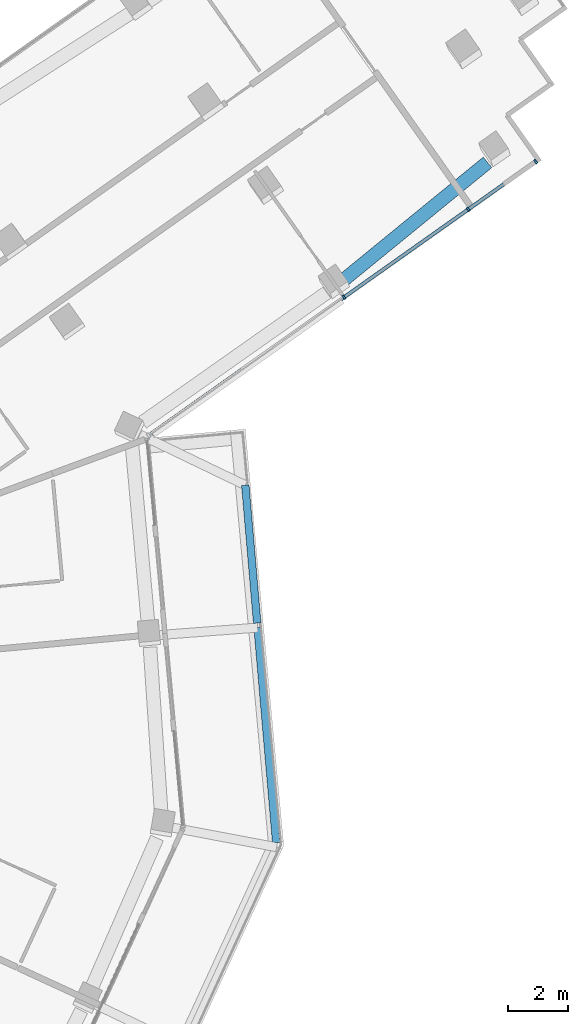
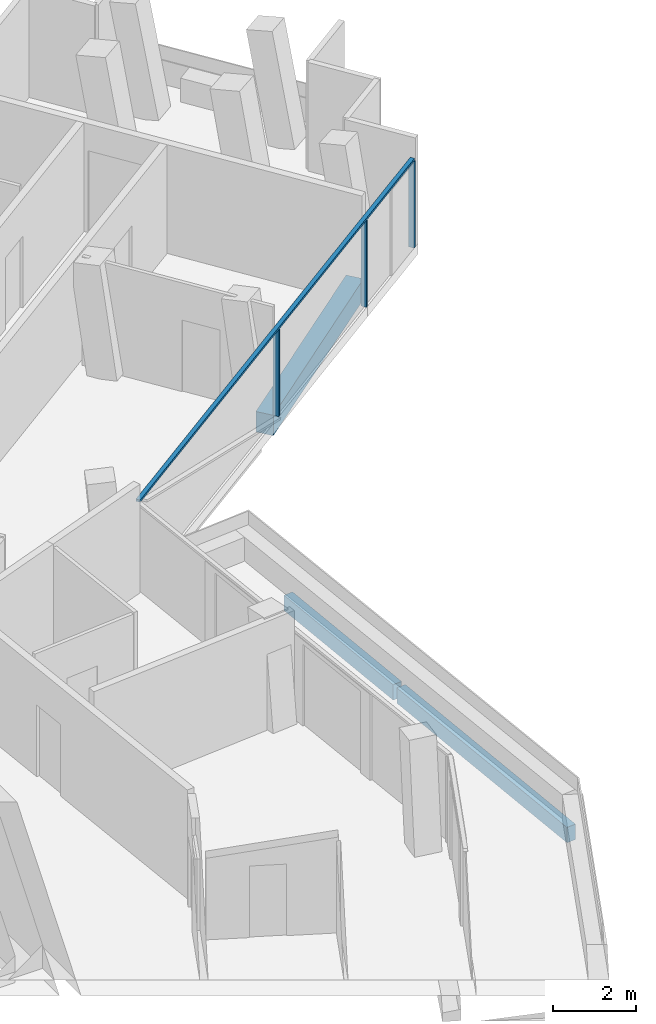
# One storey, part 9 of 25: 4 members, 3 beams, 1 element without a shape of its own.
"""IFC4 building model written with IfcOpenShell, lengths in metres."""

import ifcopenshell
import ifcopenshell.guid

model = None  # the IFC model being written
_history = None  # IfcOwnerHistory: only IFC2X3 demands one
_inside = {}  # id of a spatial element -> (the spatial element, [elements in it])
_under = {}  # id of a project, library or spatial element -> (it, [spatial elements below it])
_declared = {}  # id of a project -> (the project, [libraries it declares])
_typed = {}  # id of a type object -> (the type object, [elements of that type])
_made_of = {}  # id of a material, layer set ... -> (it, [elements and type objects made of it])


def new_model(schema):
    """Start an empty IFC model of exactly this schema.

    Asked for "IFC4X3", IfcOpenShell would pick the latest addendum, in which some entities
    have other attributes; the version numbers below select the first issue.
    IFC2X3 requires an IfcOwnerHistory on every rooted entity: one is made here for all.
    """
    global model, _history
    if schema == "IFC4X3":
        model = ifcopenshell.file(schema_version=(4, 3, 0, 0))
    else:
        model = ifcopenshell.file(schema=schema)
    _inside.clear()
    _under.clear()
    _declared.clear()
    _typed.clear()
    _made_of.clear()
    _history = None
    if model.schema == "IFC2X3":
        org = make("IfcOrganization", Name="unknown")
        user = make(
            "IfcPersonAndOrganization",
            ThePerson=make("IfcPerson", FamilyName="unknown"),
            TheOrganization=org,
        )
        app = make(
            "IfcApplication",
            ApplicationDeveloper=org,
            Version="unknown",
            ApplicationFullName="unknown",
            ApplicationIdentifier="unknown",
        )
        _history = make(
            "IfcOwnerHistory",
            OwningUser=user,
            OwningApplication=app,
            ChangeAction="ADDED",
            CreationDate=0,
        )
    return model


def make(cls, **values):
    """One entity of the class cls with the attributes given. An attribute that is None is left unset."""
    return model.create_entity(
        cls, **{name: value for name, value in values.items() if value is not None}
    )


def rooted(cls, **values):
    """An entity with a GlobalId (a new one), such as an element, a storey or a relation."""
    return make(cls, GlobalId=ifcopenshell.guid.new(), OwnerHistory=_history, **values)


def si_unit(unit_type, name, prefix=None):
    """IfcSIUnit, for example si_unit("LENGTHUNIT", "METRE", prefix="MILLI")."""
    return make("IfcSIUnit", UnitType=unit_type, Prefix=prefix, Name=name)


def assignment(units):
    """IfcUnitAssignment: the units of a project."""
    return None if units is None else make("IfcUnitAssignment", Units=units)


def point(xyz):
    """IfcCartesianPoint."""
    return None if xyz is None else make("IfcCartesianPoint", Coordinates=xyz)


def direction(xyz):
    """IfcDirection."""
    return None if xyz is None else make("IfcDirection", DirectionRatios=xyz)


def frame(location, z_axis=None, x_axis=None):
    """IfcAxis2Placement3D, a coordinate frame: its origin and axes. An axis left out is left unset."""
    return make(
        "IfcAxis2Placement3D",
        Location=point(location),
        Axis=direction(z_axis),
        RefDirection=direction(x_axis),
    )


def frame_2d(location, x_axis=None):
    """IfcAxis2Placement2D, a coordinate frame in the plane: its origin and x axis."""
    return make(
        "IfcAxis2Placement2D", Location=point(location), RefDirection=direction(x_axis)
    )


def origin():
    """The frame at (0, 0, 0) with its axes left unset."""
    return frame((0.0, 0.0, 0.0))


def origin_2d():
    """The frame at (0, 0) in the plane with its x axis left unset."""
    return frame_2d((0.0, 0.0))


def place(relative_to, where):
    """IfcLocalPlacement: puts the frame where relative to a parent placement (None: the world)."""
    return make(
        "IfcLocalPlacement", PlacementRelTo=relative_to, RelativePlacement=where
    )


def context(
    kind, dimensions, precision=None, world=None, true_north=None, identifier=None
):
    """IfcGeometricRepresentationContext, for example the 3D "Model" context."""
    return make(
        "IfcGeometricRepresentationContext",
        ContextIdentifier=identifier,
        ContextType=kind,
        CoordinateSpaceDimension=dimensions,
        Precision=precision,
        WorldCoordinateSystem=world,
        TrueNorth=true_north,
    )


def subcontext(parent, identifier, kind, view, scale=None):
    """IfcGeometricRepresentationSubContext, for example "Body" below "Model"."""
    return make(
        "IfcGeometricRepresentationSubContext",
        ContextIdentifier=identifier,
        ContextType=kind,
        ParentContext=parent,
        TargetScale=scale,
        TargetView=view,
    )


def project(units=None, contexts=None):
    """IfcProject with its units and contexts."""
    return rooted(
        "IfcProject",
        Name="project",
        RepresentationContexts=contexts,
        UnitsInContext=assignment(units),
    )


def spatial(cls, under=None, at=None, **own):
    """A site, building, storey or space (cls), placed at a placement, below another one or the project."""
    s = rooted(cls, ObjectPlacement=at, **own)
    if under is not None:
        _under.setdefault(under.id(), (under, []))[1].append(s)
    return s


def profile(cls, at=None, kind="AREA", **sizes):
    """A parametric profile (cls). Its sizes go by their IFC names, for example OverallWidth=200.0."""
    return make(cls, ProfileType=kind, Position=at, **sizes)


def rectangle(**sizes):
    """IfcRectangleProfileDef."""
    return profile("IfcRectangleProfileDef", **sizes)


def extrude(swept, where, along, depth):
    """IfcExtrudedAreaSolid: the profile swept, set in the frame where, extruded along a direction by depth."""
    return make(
        "IfcExtrudedAreaSolid",
        SweptArea=swept,
        Position=where,
        ExtrudedDirection=direction(along),
        Depth=depth,
    )


def shape(context_of_items, identifier, shape_type, items):
    """IfcShapeRepresentation: the items that make up one representation, for example the "Body"."""
    return make(
        "IfcShapeRepresentation",
        ContextOfItems=context_of_items,
        RepresentationIdentifier=identifier,
        RepresentationType=shape_type,
        Items=items,
    )


def material(Name=None, Category=None):
    """IfcMaterial."""
    return make("IfcMaterial", Name=Name, Category=Category)


def layer(
    of_material, thickness, ventilated=None, Name=None, Category=None, Priority=None
):
    """IfcMaterialLayer: one layer of a wall or slab, of a material (None: an air gap)."""
    return make(
        "IfcMaterialLayer",
        Material=of_material,
        LayerThickness=thickness,
        IsVentilated=ventilated,
        Name=Name,
        Category=Category,
        Priority=Priority,
    )


def layer_set(layers, Name=None):
    """IfcMaterialLayerSet."""
    return make("IfcMaterialLayerSet", MaterialLayers=layers, LayerSetName=Name)


def material_profile(
    of_material, cross_section, Name=None, Category=None, Priority=None
):
    """IfcMaterialProfile: a cross section and its material."""
    return make(
        "IfcMaterialProfile",
        Name=Name,
        Material=of_material,
        Profile=cross_section,
        Priority=Priority,
        Category=Category,
    )


def profile_set(profiles, Name=None, composite=None):
    """IfcMaterialProfileSet."""
    return make(
        "IfcMaterialProfileSet",
        Name=Name,
        MaterialProfiles=profiles,
        CompositeProfile=composite,
    )


def made_of(thing, what):
    """Note that an element or type object is made of a material, layer set ...; save() writes the relation."""
    if what is not None:
        _made_of.setdefault(what.id(), (what, []))[1].append(thing)
    return thing


def type_object(cls, material=None, **own):
    """A type object (cls), such as IfcWallType, which elements share."""
    return made_of(rooted(cls, **own), material)


def element(
    cls,
    number,
    at=None,
    inside=None,
    cuts=None,
    type_object=None,
    material=None,
    context=None,
    identifier="Body",
    shape_type=None,
    held_by="IfcProductDefinitionShape",
    body=None,
    shapes=None,
    **own,
):
    """One element of the class cls, such as IfcWall. Its Tag is "e" and its number.

    at: its placement. inside: the storey or other place that contains it. cuts: it is an
    opening in that element (IfcRelVoidsElement). A single representation is given by context,
    identifier, shape_type and body (its items); several are given by shapes. held_by: the class
    of the entity that holds the representations. save() writes the other relations.
    """
    e = rooted(cls, Tag="e%d" % number, ObjectPlacement=at, **own)
    if body is not None:
        shapes = [shape(context, identifier, shape_type, body)]
    if shapes is not None:
        e.Representation = make(held_by, Representations=shapes)
    if inside is not None:
        _inside.setdefault(inside.id(), (inside, []))[1].append(e)
    if cuts is not None:
        rooted(
            "IfcRelVoidsElement", RelatingBuildingElement=cuts, RelatedOpeningElement=e
        )
    if type_object is not None:
        _typed.setdefault(type_object.id(), (type_object, []))[1].append(e)
    return made_of(e, material)


def aggregate(whole, parts):
    """IfcRelAggregates: a whole, such as a stair, and the parts it consists of."""
    return rooted("IfcRelAggregates", RelatingObject=whole, RelatedObjects=parts)


def save(model, path):
    """Write the relations noted so far, then the file.

    IfcRelAggregates (storeys below a building ...), IfcRelContainedInSpatialStructure (elements
    in a storey), IfcRelDefinesByType, IfcRelAssociatesMaterial and IfcRelDeclares: one each for
    every whole, place, type object, material and project.
    """
    for whole, parts in _under.values():
        aggregate(whole, parts)
    for where, things in _inside.values():
        rooted(
            "IfcRelContainedInSpatialStructure",
            RelatedElements=things,
            RelatingStructure=where,
        )
    for kind, things in _typed.values():
        rooted("IfcRelDefinesByType", RelatedObjects=things, RelatingType=kind)
    for what, things in _made_of.values():
        rooted("IfcRelAssociatesMaterial", RelatedObjects=things, RelatingMaterial=what)
    for by, libraries in _declared.values():
        rooted("IfcRelDeclares", RelatingContext=by, RelatedDefinitions=libraries)
    model.write(path)


model = new_model("IFC4")

# Units and contexts
model_context = context("Model", 3, precision=1e-05, world=origin(), true_north=direction((0.0, 1.0)))
body_context = subcontext(model_context, "Body", "Model", "MODEL_VIEW")
ifc_project = project(units=[si_unit("LENGTHUNIT", "METRE"), si_unit("AREAUNIT", "SQUARE_METRE"), si_unit("VOLUMEUNIT", "CUBIC_METRE"), si_unit("PLANEANGLEUNIT", "RADIAN"), si_unit("MASSUNIT", "GRAM", prefix="KILO")], contexts=[model_context])

# Site, building, storey
site_placement = place(None, origin())
site = spatial("IfcSite", under=ifc_project, at=site_placement, CompositionType="ELEMENT")
building_placement = place(site_placement, origin())
building = spatial("IfcBuilding", under=site, at=building_placement, Name="Verdalira Terraces Hotel", CompositionType="ELEMENT")
storey_placement = place(building_placement, frame((0.0, 0.0, 299.5)))
storey = spatial("IfcBuildingStorey", under=building, at=storey_placement, Name="L74", CompositionType="ELEMENT", Elevation=299.5)

# Beams
ifc_material_1 = material(Name="Concrete C40", Category="concrete")
ifc_material_profile_1 = material_profile(ifc_material_1, rectangle(XDim=0.25, YDim=0.449951, at=origin_2d()), Name="RC 250X450")
ifc_profile_set_1 = profile_set([ifc_material_profile_1], Name="Concrete C40")
beam_type_1 = type_object("IfcBeamType", Name="Balcony edge beam RC 250X450 C40", PredefinedType="BEAM", material=ifc_profile_set_1)
beam_1_placement = place(storey_placement, frame((27.767334, -4.69751, -0.534912), z_axis=(-0.086274276, 0.996271423, 0.0), x_axis=(-0.996271423, -0.086274276, 0.0)))
element("IfcBeam", 1, at=beam_1_placement, inside=storey, type_object=beam_type_1, Name="Balcony edge beam R26-3", PredefinedType="BEAM", context=body_context, shape_type="SweptSolid", body=[
    extrude(rectangle(XDim=0.25, YDim=0.449951, at=origin_2d()), origin(), (0.0, 0.0, 1.0), 7.145264),
])
beam_2_placement = place(storey_placement, frame((27.137939, 2.570557, -0.534912), z_axis=(-0.086055121, 0.996290377, 0.0), x_axis=(-0.996290377, -0.086055121, 0.0)))
element("IfcBeam", 2, at=beam_2_placement, inside=storey, type_object=beam_type_1, Name="Balcony edge beam R26-4", PredefinedType="BEAM", context=body_context, shape_type="SweptSolid", body=[
    extrude(rectangle(XDim=0.25, YDim=0.449951, at=origin_2d()), origin(), (0.0, 0.0, 1.0), 4.584717),
])

# Curtain wall, members
ifc_material_2 = material(Name="Clear glass", Category="glass")
ifc_layer = layer(ifc_material_2, 0.14990234375)
ifc_layer_set = layer_set([ifc_layer], Name="CW2 curtain wall")
curtain_wall_type = type_object("IfcCurtainWallType", Name="CW2 curtain wall", PredefinedType="NOTDEFINED", material=ifc_layer_set)
curtain_wall_placement = place(storey_placement, origin())
curtain_wall = element("IfcCurtainWall", 3, at=curtain_wall_placement, inside=storey, type_object=curtain_wall_type, Name="CW2 curtain wall L74 edge 28", PredefinedType="NOTDEFINED")
ifc_material_3 = material(Name="Terracotta frame", Category="masonry")
ifc_material_profile_2 = material_profile(ifc_material_3, rectangle(XDim=0.070068, YDim=0.149902, at=origin_2d()), Name="MU 70x150")
ifc_profile_set_2 = profile_set([ifc_material_profile_2], Name="Terracotta frame")
member_type_1 = type_object("IfcMemberType", Name="CW2 mullion 70x150", PredefinedType="MULLION", material=ifc_profile_set_2)
member_1_placement = place(storey_placement, frame((30.01416, 13.36499, 0.0), z_axis=(0.0, 0.0, 1.0), x_axis=(0.816339251, 0.577572703, 0.0)))
member_1 = element("IfcMember", 4, at=member_1_placement, type_object=member_type_1, Name="CW2 mullion", PredefinedType="MULLION", context=body_context, shape_type="SweptSolid", body=[
    extrude(rectangle(XDim=0.070068, YDim=0.149902, at=origin_2d()), origin(), (0.0, 0.0, 1.0), 2.524902),
])
member_2_placement = place(storey_placement, frame((34.130859, 16.277588, 0.0), z_axis=(0.0, 0.0, 1.0), x_axis=(0.816339251, 0.577572703, 0.0)))
member_2 = element("IfcMember", 5, at=member_2_placement, type_object=member_type_1, Name="CW2 mullion", PredefinedType="MULLION", context=body_context, shape_type="SweptSolid", body=[
    extrude(rectangle(XDim=0.070068, YDim=0.149902, at=origin_2d()), origin(), (0.0, 0.0, 1.0), 2.524902),
])
member_3_placement = place(storey_placement, frame((36.363525, 17.857178, 0.0), z_axis=(0.0, 0.0, 1.0), x_axis=(0.816339251, 0.577572703, 0.0)))
member_3 = element("IfcMember", 6, at=member_3_placement, type_object=member_type_1, Name="CW2 mullion", PredefinedType="MULLION", context=body_context, shape_type="SweptSolid", body=[
    extrude(rectangle(XDim=0.070068, YDim=0.149902, at=origin_2d()), origin(), (0.0, 0.0, 1.0), 2.524902),
])
ifc_material_4 = material(Name="Terracotta frame", Category="masonry")
ifc_material_profile_3 = material_profile(ifc_material_4, rectangle(XDim=0.11499, YDim=0.064941, at=origin_2d()), Name="TR 65x115")
ifc_profile_set_3 = profile_set([ifc_material_profile_3], Name="Terracotta frame")
member_type_2 = type_object("IfcMemberType", Name="CW2 transom 65x115", PredefinedType="USERDEFINED", material=ifc_profile_set_3)
member_4_placement = place(storey_placement, frame((23.513916, 8.765869, 2.557617), z_axis=(0.816337332, 0.577575415, 0.0), x_axis=(-0.577575415, 0.816337332, 0.0)))
member_4 = element("IfcMember", 7, at=member_4_placement, type_object=member_type_2, Name="CW2 transom", ObjectType="TRANSOM", PredefinedType="USERDEFINED", context=body_context, shape_type="SweptSolid", body=[
    extrude(rectangle(XDim=0.11499, YDim=0.064941, at=origin_2d()), origin(), (0.0, 0.0, 1.0), 15.775635),
])
aggregate(curtain_wall, [member_1, member_2, member_3, member_4])

# Beam
ifc_material_5 = material(Name="Concrete C40", Category="concrete")
ifc_material_profile_4 = material_profile(ifc_material_5, rectangle(XDim=0.449951, YDim=0.600098, at=origin_2d()), Name="RC 450X600")
ifc_profile_set_4 = profile_set([ifc_material_profile_4], Name="Concrete C40")
beam_type_2 = type_object("IfcBeamType", Name="Spandrel beam RC 450X600 C40", PredefinedType="SPANDREL", material=ifc_profile_set_4)
beam_3_placement = place(storey_placement, frame((30.025879, 13.958984, -0.610107), z_axis=(0.774545154, 0.63251862, 0.0), x_axis=(-0.63251862, 0.774545154, 0.0)))
element("IfcBeam", 8, at=beam_3_placement, inside=storey, type_object=beam_type_2, Name="Spandrel beam B20", PredefinedType="SPANDREL", context=body_context, shape_type="SweptSolid", body=[
    extrude(rectangle(XDim=0.449951, YDim=0.600098, at=origin_2d()), origin(), (0.0, 0.0, 1.0), 6.121338),
])

save(model, "model.ifc")
